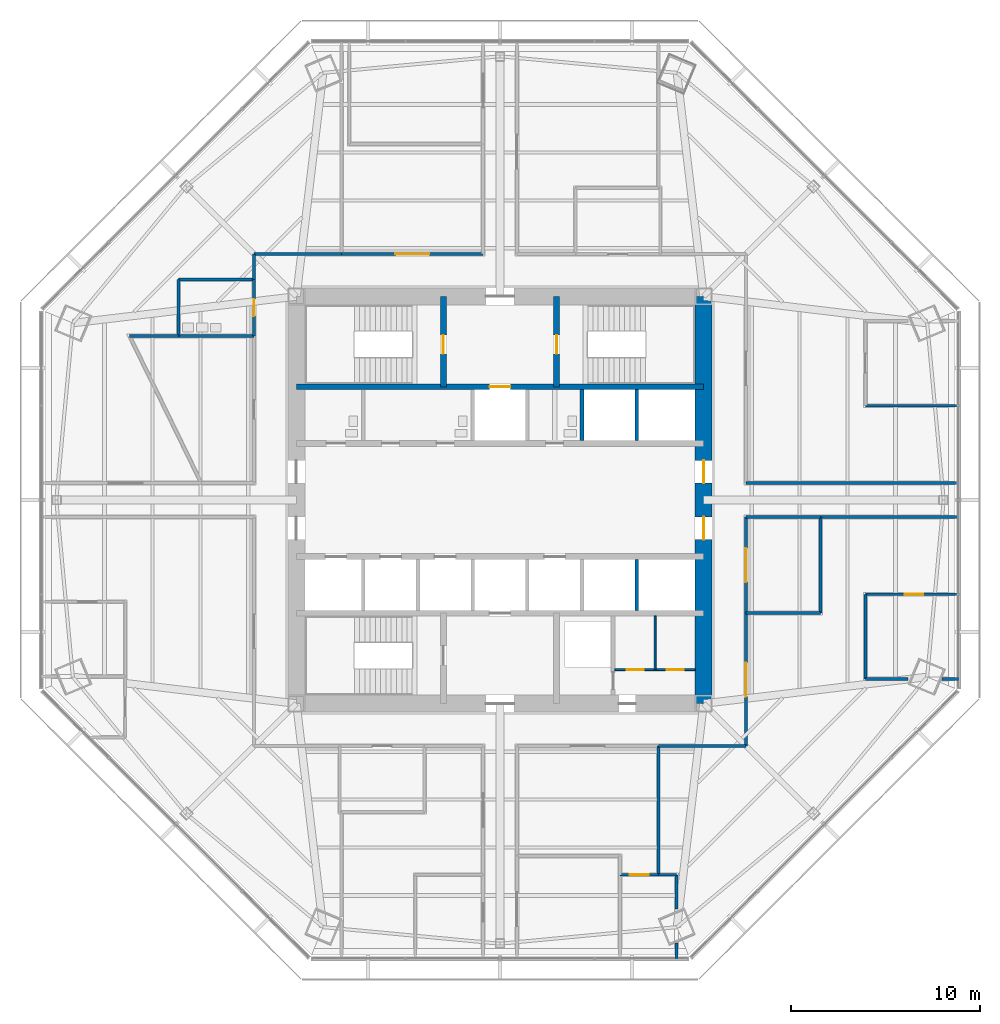
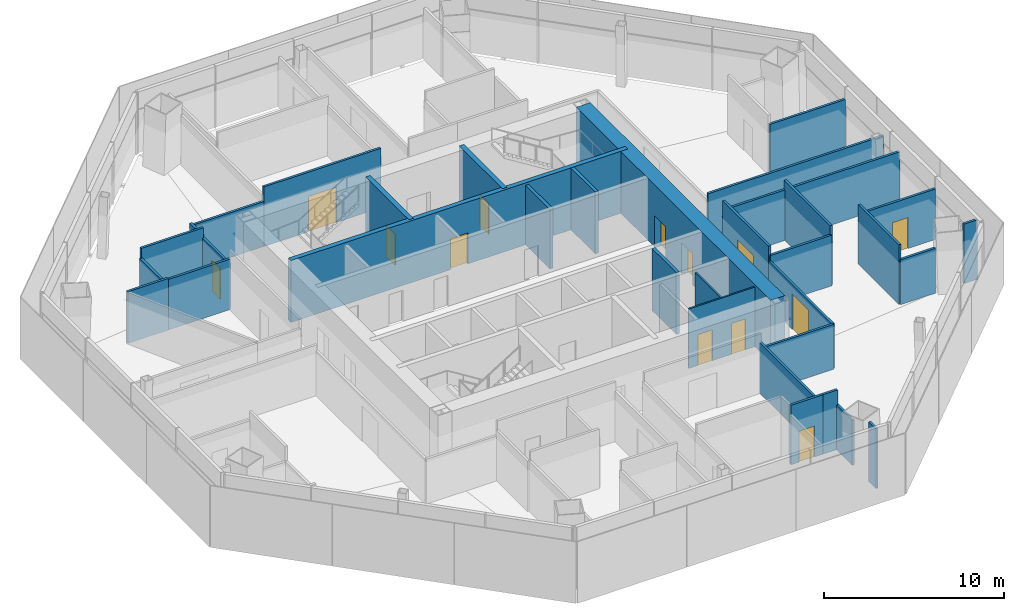
# One storey, part 10 of 14: 35 walls, 13 doors, 13 openings.
"""IFC4 building model written with IfcOpenShell, lengths in metres."""

import ifcopenshell
import ifcopenshell.guid

model = None  # the IFC model being written
_history = None  # IfcOwnerHistory: only IFC2X3 demands one
_inside = {}  # id of a spatial element -> (the spatial element, [elements in it])
_under = {}  # id of a project, library or spatial element -> (it, [spatial elements below it])
_declared = {}  # id of a project -> (the project, [libraries it declares])
_typed = {}  # id of a type object -> (the type object, [elements of that type])
_made_of = {}  # id of a material, layer set ... -> (it, [elements and type objects made of it])


def new_model(schema):
    """Start an empty IFC model of exactly this schema.

    Asked for "IFC4X3", IfcOpenShell would pick the latest addendum, in which some entities
    have other attributes; the version numbers below select the first issue.
    IFC2X3 requires an IfcOwnerHistory on every rooted entity: one is made here for all.
    """
    global model, _history
    if schema == "IFC4X3":
        model = ifcopenshell.file(schema_version=(4, 3, 0, 0))
    else:
        model = ifcopenshell.file(schema=schema)
    _inside.clear()
    _under.clear()
    _declared.clear()
    _typed.clear()
    _made_of.clear()
    _history = None
    if model.schema == "IFC2X3":
        org = make("IfcOrganization", Name="unknown")
        user = make(
            "IfcPersonAndOrganization",
            ThePerson=make("IfcPerson", FamilyName="unknown"),
            TheOrganization=org,
        )
        app = make(
            "IfcApplication",
            ApplicationDeveloper=org,
            Version="unknown",
            ApplicationFullName="unknown",
            ApplicationIdentifier="unknown",
        )
        _history = make(
            "IfcOwnerHistory",
            OwningUser=user,
            OwningApplication=app,
            ChangeAction="ADDED",
            CreationDate=0,
        )
    return model


def make(cls, **values):
    """One entity of the class cls with the attributes given. An attribute that is None is left unset."""
    return model.create_entity(
        cls, **{name: value for name, value in values.items() if value is not None}
    )


def rooted(cls, **values):
    """An entity with a GlobalId (a new one), such as an element, a storey or a relation."""
    return make(cls, GlobalId=ifcopenshell.guid.new(), OwnerHistory=_history, **values)


def si_unit(unit_type, name, prefix=None):
    """IfcSIUnit, for example si_unit("LENGTHUNIT", "METRE", prefix="MILLI")."""
    return make("IfcSIUnit", UnitType=unit_type, Prefix=prefix, Name=name)


def assignment(units):
    """IfcUnitAssignment: the units of a project."""
    return None if units is None else make("IfcUnitAssignment", Units=units)


def point(xyz):
    """IfcCartesianPoint."""
    return None if xyz is None else make("IfcCartesianPoint", Coordinates=xyz)


def direction(xyz):
    """IfcDirection."""
    return None if xyz is None else make("IfcDirection", DirectionRatios=xyz)


def frame(location, z_axis=None, x_axis=None):
    """IfcAxis2Placement3D, a coordinate frame: its origin and axes. An axis left out is left unset."""
    return make(
        "IfcAxis2Placement3D",
        Location=point(location),
        Axis=direction(z_axis),
        RefDirection=direction(x_axis),
    )


def frame_2d(location, x_axis=None):
    """IfcAxis2Placement2D, a coordinate frame in the plane: its origin and x axis."""
    return make(
        "IfcAxis2Placement2D", Location=point(location), RefDirection=direction(x_axis)
    )


def origin():
    """The frame at (0, 0, 0) with its axes left unset."""
    return frame((0.0, 0.0, 0.0))


def place(relative_to, where):
    """IfcLocalPlacement: puts the frame where relative to a parent placement (None: the world)."""
    return make(
        "IfcLocalPlacement", PlacementRelTo=relative_to, RelativePlacement=where
    )


def context(
    kind, dimensions, precision=None, world=None, true_north=None, identifier=None
):
    """IfcGeometricRepresentationContext, for example the 3D "Model" context."""
    return make(
        "IfcGeometricRepresentationContext",
        ContextIdentifier=identifier,
        ContextType=kind,
        CoordinateSpaceDimension=dimensions,
        Precision=precision,
        WorldCoordinateSystem=world,
        TrueNorth=true_north,
    )


def subcontext(parent, identifier, kind, view, scale=None):
    """IfcGeometricRepresentationSubContext, for example "Body" below "Model"."""
    return make(
        "IfcGeometricRepresentationSubContext",
        ContextIdentifier=identifier,
        ContextType=kind,
        ParentContext=parent,
        TargetScale=scale,
        TargetView=view,
    )


def project(units=None, contexts=None):
    """IfcProject with its units and contexts."""
    return rooted(
        "IfcProject",
        Name="project",
        RepresentationContexts=contexts,
        UnitsInContext=assignment(units),
    )


def spatial(cls, under=None, at=None, **own):
    """A site, building, storey or space (cls), placed at a placement, below another one or the project."""
    s = rooted(cls, ObjectPlacement=at, **own)
    if under is not None:
        _under.setdefault(under.id(), (under, []))[1].append(s)
    return s


def profile(cls, at=None, kind="AREA", **sizes):
    """A parametric profile (cls). Its sizes go by their IFC names, for example OverallWidth=200.0."""
    return make(cls, ProfileType=kind, Position=at, **sizes)


def rectangle(**sizes):
    """IfcRectangleProfileDef."""
    return profile("IfcRectangleProfileDef", **sizes)


def extrude(swept, where, along, depth):
    """IfcExtrudedAreaSolid: the profile swept, set in the frame where, extruded along a direction by depth."""
    return make(
        "IfcExtrudedAreaSolid",
        SweptArea=swept,
        Position=where,
        ExtrudedDirection=direction(along),
        Depth=depth,
    )


def shape(context_of_items, identifier, shape_type, items):
    """IfcShapeRepresentation: the items that make up one representation, for example the "Body"."""
    return make(
        "IfcShapeRepresentation",
        ContextOfItems=context_of_items,
        RepresentationIdentifier=identifier,
        RepresentationType=shape_type,
        Items=items,
    )


def material(Name=None, Category=None):
    """IfcMaterial."""
    return make("IfcMaterial", Name=Name, Category=Category)


def layer(
    of_material, thickness, ventilated=None, Name=None, Category=None, Priority=None
):
    """IfcMaterialLayer: one layer of a wall or slab, of a material (None: an air gap)."""
    return make(
        "IfcMaterialLayer",
        Material=of_material,
        LayerThickness=thickness,
        IsVentilated=ventilated,
        Name=Name,
        Category=Category,
        Priority=Priority,
    )


def layer_set(layers, Name=None):
    """IfcMaterialLayerSet."""
    return make("IfcMaterialLayerSet", MaterialLayers=layers, LayerSetName=Name)


def made_of(thing, what):
    """Note that an element or type object is made of a material, layer set ...; save() writes the relation."""
    if what is not None:
        _made_of.setdefault(what.id(), (what, []))[1].append(thing)
    return thing


def type_object(cls, material=None, **own):
    """A type object (cls), such as IfcWallType, which elements share."""
    return made_of(rooted(cls, **own), material)


def element(
    cls,
    number,
    at=None,
    inside=None,
    cuts=None,
    type_object=None,
    material=None,
    context=None,
    identifier="Body",
    shape_type=None,
    held_by="IfcProductDefinitionShape",
    body=None,
    shapes=None,
    **own,
):
    """One element of the class cls, such as IfcWall. Its Tag is "e" and its number.

    at: its placement. inside: the storey or other place that contains it. cuts: it is an
    opening in that element (IfcRelVoidsElement). A single representation is given by context,
    identifier, shape_type and body (its items); several are given by shapes. held_by: the class
    of the entity that holds the representations. save() writes the other relations.
    """
    e = rooted(cls, Tag="e%d" % number, ObjectPlacement=at, **own)
    if body is not None:
        shapes = [shape(context, identifier, shape_type, body)]
    if shapes is not None:
        e.Representation = make(held_by, Representations=shapes)
    if inside is not None:
        _inside.setdefault(inside.id(), (inside, []))[1].append(e)
    if cuts is not None:
        rooted(
            "IfcRelVoidsElement", RelatingBuildingElement=cuts, RelatedOpeningElement=e
        )
    if type_object is not None:
        _typed.setdefault(type_object.id(), (type_object, []))[1].append(e)
    return made_of(e, material)


def fill(opening, filler):
    """IfcRelFillsElement: the door or window that sits in an opening."""
    return rooted(
        "IfcRelFillsElement",
        RelatingOpeningElement=opening,
        RelatedBuildingElement=filler,
    )


def aggregate(whole, parts):
    """IfcRelAggregates: a whole, such as a stair, and the parts it consists of."""
    return rooted("IfcRelAggregates", RelatingObject=whole, RelatedObjects=parts)


def save(model, path):
    """Write the relations noted so far, then the file.

    IfcRelAggregates (storeys below a building ...), IfcRelContainedInSpatialStructure (elements
    in a storey), IfcRelDefinesByType, IfcRelAssociatesMaterial and IfcRelDeclares: one each for
    every whole, place, type object, material and project.
    """
    for whole, parts in _under.values():
        aggregate(whole, parts)
    for where, things in _inside.values():
        rooted(
            "IfcRelContainedInSpatialStructure",
            RelatedElements=things,
            RelatingStructure=where,
        )
    for kind, things in _typed.values():
        rooted("IfcRelDefinesByType", RelatedObjects=things, RelatingType=kind)
    for what, things in _made_of.values():
        rooted("IfcRelAssociatesMaterial", RelatedObjects=things, RelatingMaterial=what)
    for by, libraries in _declared.values():
        rooted("IfcRelDeclares", RelatingContext=by, RelatedDefinitions=libraries)
    model.write(path)


model = new_model("IFC4")

# Units and contexts
model_context = context("Model", 3, precision=1e-05, world=origin(), true_north=direction((0.0, 1.0)))
body_context = subcontext(model_context, "Body", "Model", "MODEL_VIEW")
ifc_project = project(units=[si_unit("LENGTHUNIT", "METRE"), si_unit("AREAUNIT", "SQUARE_METRE"), si_unit("VOLUMEUNIT", "CUBIC_METRE"), si_unit("PLANEANGLEUNIT", "RADIAN"), si_unit("MASSUNIT", "GRAM", prefix="KILO")], contexts=[model_context])

# Site, building, storey
site_placement = place(None, origin())
site = spatial("IfcSite", under=ifc_project, at=site_placement, CompositionType="ELEMENT")
building_placement = place(site_placement, origin())
building = spatial("IfcBuilding", under=site, at=building_placement, Name="Mashrafa Tower", CompositionType="ELEMENT")
storey_placement = place(building_placement, frame((0.0, 0.0, 130.199951171875)))
storey = spatial("IfcBuildingStorey", under=building, at=storey_placement, Name="L29", CompositionType="ELEMENT", Elevation=130.199951171875)

# Wall, opening, door
ifc_material_1 = material(Name="Concrete C60/75", Category="concrete")
ifc_layer_1 = layer(ifc_material_1, 0.300048828125)
ifc_layer_set_1 = layer_set([ifc_layer_1], Name="Core wall 300 C60/75")
wall_type_1 = type_object("IfcWallType", Name="Core wall 300 C60/75", PredefinedType="SOLIDWALL", material=ifc_layer_set_1)
wall_1_placement = place(storey_placement, frame((-10.800048828125, 6.0, 0.0), z_axis=(0.0, 0.0, 1.0), x_axis=(1.0, 0.0, 0.0)))
wall_1 = element("IfcWall", 1, at=wall_1_placement, inside=storey, type_object=wall_type_1, Name="Core wall CB-N L29", PredefinedType="SOLIDWALL", context=body_context, shape_type="SweptSolid", body=[
    extrude(rectangle(XDim=21.60009765625, YDim=0.300048828125, at=frame_2d((10.800048828125, 0.0))), origin(), (0.0, 0.0, 1.0), 4.199951171875),
])
opening_1_placement = place(wall_1_placement, frame((10.25, 0.0, 0.0)))
opening_1 = element("IfcOpeningElement", 2, at=opening_1_placement, cuts=wall_1, Name="Opening 29.F1", PredefinedType="OPENING", context=body_context, shape_type="SweptSolid", body=[
    extrude(rectangle(XDim=1.10009765625, YDim=2.10009765625, at=frame_2d((0.550048828125, 1.050048828125))), frame((0.0, 0.159912109375, 0.0), z_axis=(0.0, -1.0, 0.0), x_axis=(1.0, 0.0, 0.0)), (0.0, 0.0, 1.0), 0.320068359375),
])
ifc_material_2 = material(Name="Steel door", Category="steel")
door_type_1 = type_object("IfcDoorType", Name="Lift landing door 1100 x 2100 90 min", OperationType="DOUBLE_DOOR_SLIDING", PredefinedType="DOOR", material=ifc_material_2)
door_1_placement = place(opening_1_placement, origin())
door_1 = element("IfcDoor", 3, at=door_1_placement, inside=storey, type_object=door_type_1, Name="Lift landing door F1 L29", OperationType="DOUBLE_DOOR_SLIDING", OverallHeight=2.10009765625, OverallWidth=1.10009765625, PredefinedType="DOOR", context=body_context, shape_type="SweptSolid", body=[
    extrude(rectangle(XDim=1.10009765625, YDim=2.10009765625, at=frame_2d((0.550048828125, 1.050048828125))), frame((0.0, 0.02490234375, 0.0), z_axis=(0.0, -1.0, 0.0), x_axis=(1.0, 0.0, 0.0)), (0.0, 0.0, 1.0), 0.050048828125),
])
fill(opening_1, door_1)

wall_2_placement = place(storey_placement, frame((-3.0, 6.0, 0.0), z_axis=(0.0, 0.0, 1.0), x_axis=(0.0, 1.0, 0.0)))
wall_2 = element("IfcWall", 4, at=wall_2_placement, inside=storey, type_object=wall_type_1, Name="Core wall CX-NW L29", PredefinedType="SOLIDWALL", context=body_context, shape_type="SweptSolid", body=[
    extrude(rectangle(XDim=4.800048828125, YDim=0.300048828125, at=frame_2d((2.39990234375, 0.0))), origin(), (0.0, 0.0, 1.0), 4.199951171875),
])
opening_2_placement = place(wall_2_placement, frame((1.75, 0.0, 0.0)))
opening_2 = element("IfcOpeningElement", 5, at=opening_2_placement, cuts=wall_2, Name="Opening 29.028", PredefinedType="OPENING", context=body_context, shape_type="SweptSolid", body=[
    extrude(rectangle(XDim=1.0, YDim=2.10009765625, at=frame_2d((0.5, 1.050048828125))), frame((0.0, 0.159912109375, 0.0), z_axis=(0.0, -1.0, 0.0), x_axis=(1.0, 0.0, 0.0)), (0.0, 0.0, 1.0), 0.320068359375),
])
ifc_material_3 = material(Name="Steel door", Category="steel")
door_type_2 = type_object("IfcDoorType", Name="Stair door 1000 x 2100 90 min", OperationType="USERDEFINED", PredefinedType="DOOR", material=ifc_material_3)
door_2_placement = place(opening_2_placement, origin())
door_2 = element("IfcDoor", 6, at=door_2_placement, inside=storey, type_object=door_type_2, Name="Stair S1 door L29", OperationType="SINGLE_SWING_LEFT", OverallHeight=2.10009765625, OverallWidth=1.0, PredefinedType="DOOR", context=body_context, shape_type="SweptSolid", body=[
    extrude(rectangle(XDim=1.0, YDim=2.10009765625, at=frame_2d((0.5, 1.050048828125))), frame((0.0, 0.02490234375, 0.0), z_axis=(0.0, -1.0, 0.0), x_axis=(1.0, 0.0, 0.0)), (0.0, 0.0, 1.0), 0.050048828125),
])
fill(opening_2, door_2)

wall_3_placement = place(storey_placement, frame((3.0, 6.0, 0.0), z_axis=(0.0, 0.0, 1.0), x_axis=(0.0, 1.0, 0.0)))
wall_3 = element("IfcWall", 7, at=wall_3_placement, inside=storey, type_object=wall_type_1, Name="Core wall CX-NE L29", PredefinedType="SOLIDWALL", context=body_context, shape_type="SweptSolid", body=[
    extrude(rectangle(XDim=4.800048828125, YDim=0.300048828125, at=frame_2d((2.39990234375, 0.0))), origin(), (0.0, 0.0, 1.0), 4.199951171875),
])
opening_3_placement = place(wall_3_placement, frame((1.75, 0.0, 0.0)))
opening_3 = element("IfcOpeningElement", 8, at=opening_3_placement, cuts=wall_3, Name="Opening 29.029", PredefinedType="OPENING", context=body_context, shape_type="SweptSolid", body=[
    extrude(rectangle(XDim=1.0, YDim=2.10009765625, at=frame_2d((0.5, 1.050048828125))), frame((0.0, 0.159912109375, 0.0), z_axis=(0.0, -1.0, 0.0), x_axis=(1.0, 0.0, 0.0)), (0.0, 0.0, 1.0), 0.320068359375),
])
door_3_placement = place(opening_3_placement, frame((1.0, 0.0, 0.0), z_axis=(0.0, 0.0, 1.0), x_axis=(-1.0, 0.0, 0.0)))
door_3 = element("IfcDoor", 9, at=door_3_placement, inside=storey, type_object=door_type_2, Name="Stair S2 door L29", OperationType="SINGLE_SWING_RIGHT", OverallHeight=2.10009765625, OverallWidth=1.0, PredefinedType="DOOR", context=body_context, shape_type="SweptSolid", body=[
    extrude(rectangle(XDim=1.0, YDim=2.10009765625, at=frame_2d((0.5, 1.050048828125))), frame((0.0, 0.02490234375, 0.0), z_axis=(0.0, -1.0, 0.0), x_axis=(1.0, 0.0, 0.0)), (0.0, 0.0, 1.0), 0.050048828125),
])
fill(opening_3, door_3)

# Wall, openings, doors
ifc_material_4 = material(Name="Concrete C60/75", Category="concrete")
ifc_layer_2 = layer(ifc_material_4, 0.89990234375)
ifc_layer_set_2 = layer_set([ifc_layer_2], Name="Core wall 900 C60/75")
wall_type_2 = type_object("IfcWallType", Name="Core wall 900 C60/75", PredefinedType="SOLIDWALL", material=ifc_layer_set_2)
wall_4_placement = place(storey_placement, frame((10.800048828125, -10.800048828125, 0.0), z_axis=(0.0, 0.0, 1.0), x_axis=(0.0, 1.0, 0.0)))
wall_4 = element("IfcWall", 10, at=wall_4_placement, inside=storey, type_object=wall_type_2, Name="Core wall CW-E L29", PredefinedType="SOLIDWALL", context=body_context, shape_type="SweptSolid", body=[
    extrude(rectangle(XDim=21.60009765625, YDim=0.89990234375, at=frame_2d((10.800048828125, 0.0))), origin(), (0.0, 0.0, 1.0), 4.199951171875),
])
opening_4_placement = place(wall_4_placement, frame((11.699951171875, 0.0, 0.0)))
opening_4 = element("IfcOpeningElement", 11, at=opening_4_placement, cuts=wall_4, Name="Opening 29.022", PredefinedType="OPENING", context=body_context, shape_type="SweptSolid", body=[
    extrude(rectangle(XDim=1.199951171875, YDim=2.10009765625, at=frame_2d((0.60009765625, 1.050048828125))), frame((0.0, 0.4599609375, 0.0), z_axis=(0.0, -1.0, 0.0), x_axis=(1.0, 0.0, 0.0)), (0.0, 0.0, 1.0), 0.919921875),
])
opening_5_placement = place(wall_4_placement, frame((8.699951171875, 0.0, 0.0)))
opening_5 = element("IfcOpeningElement", 12, at=opening_5_placement, cuts=wall_4, Name="Opening 29.024", PredefinedType="OPENING", context=body_context, shape_type="SweptSolid", body=[
    extrude(rectangle(XDim=1.199951171875, YDim=2.10009765625, at=frame_2d((0.60009765625, 1.050048828125))), frame((0.0, 0.4599609375, 0.0), z_axis=(0.0, -1.0, 0.0), x_axis=(1.0, 0.0, 0.0)), (0.0, 0.0, 1.0), 0.919921875),
])
ifc_material_5 = material(Name="Steel door", Category="steel")
door_type_3 = type_object("IfcDoorType", Name="Lift hall door 1200 x 2100 90 min", OperationType="USERDEFINED", PredefinedType="DOOR", material=ifc_material_5)
door_4_placement = place(opening_4_placement, frame((1.199951171875, 0.0, 0.0), z_axis=(0.0, 0.0, 1.0), x_axis=(-1.0, 0.0, 0.0)))
door_4 = element("IfcDoor", 13, at=door_4_placement, inside=storey, type_object=door_type_3, Name="Lift hall door east L29", OperationType="SINGLE_SWING_LEFT", OverallHeight=2.10009765625, OverallWidth=1.199951171875, PredefinedType="DOOR", context=body_context, shape_type="SweptSolid", body=[
    extrude(rectangle(XDim=1.199951171875, YDim=2.10009765625, at=frame_2d((0.60009765625, 1.050048828125))), frame((0.0, 0.02490234375, 0.0), z_axis=(0.0, -1.0, 0.0), x_axis=(1.0, 0.0, 0.0)), (0.0, 0.0, 1.0), 0.050048828125),
])
fill(opening_4, door_4)
door_5_placement = place(opening_5_placement, frame((1.199951171875, 0.0, 0.0), z_axis=(0.0, 0.0, 1.0), x_axis=(-1.0, 0.0, 0.0)))
door_5 = element("IfcDoor", 14, at=door_5_placement, inside=storey, type_object=door_type_3, Name="Lift hall door east L29", OperationType="SINGLE_SWING_RIGHT", OverallHeight=2.10009765625, OverallWidth=1.199951171875, PredefinedType="DOOR", context=body_context, shape_type="SweptSolid", body=[
    extrude(rectangle(XDim=1.199951171875, YDim=2.10009765625, at=frame_2d((0.60009765625, 1.050048828125))), frame((0.0, 0.02490234375, 0.0), z_axis=(0.0, -1.0, 0.0), x_axis=(1.0, 0.0, 0.0)), (0.0, 0.0, 1.0), 0.050048828125),
])
fill(opening_5, door_5)

# Wall, opening, door
ifc_material_6 = material(Name="Gypsum board on steel studs", Category="steel")
ifc_layer_3 = layer(ifc_material_6, 0.14990234375)
ifc_layer_set_3 = layer_set([ifc_layer_3], Name="Corridor partition 150 1 hr")
wall_type_3 = type_object("IfcWallType", Name="Corridor partition 150 1 hr", PredefinedType="PARTITIONING", material=ifc_layer_set_3)
wall_5_placement = place(storey_placement, frame((-13.050048828125, 11.700927734375, 0.0), z_axis=(0.0, 0.0, 1.0), x_axis=(0.0, -1.0, 0.0)))
wall_5 = element("IfcWall", 15, at=wall_5_placement, inside=storey, type_object=wall_type_3, Name="Corridor wall L29-003", PredefinedType="PARTITIONING", context=body_context, shape_type="SweptSolid", body=[
    extrude(rectangle(XDim=3.001953125, YDim=0.14990234375, at=frame_2d((1.5009765625, 0.0))), origin(), (0.0, 0.0, 1.0), 3.0419921875),
])
opening_6_placement = place(wall_5_placement, frame((1.051025390625, 0.0, 0.0)))
opening_6 = element("IfcOpeningElement", 16, at=opening_6_placement, cuts=wall_5, Name="Opening 29.002", PredefinedType="OPENING", context=body_context, shape_type="SweptSolid", body=[
    extrude(rectangle(XDim=0.89990234375, YDim=2.10009765625, at=frame_2d((0.449951171875, 1.050048828125))), frame((0.0, 0.0849609375, 0.0), z_axis=(0.0, -1.0, 0.0), x_axis=(1.0, 0.0, 0.0)), (0.0, 0.0, 1.0), 0.169921875),
])
ifc_material_7 = material(Name="Timber door", Category="wood")
door_type_4 = type_object("IfcDoorType", Name="Toilet door 900 x 2100", OperationType="USERDEFINED", PredefinedType="DOOR", material=ifc_material_7)
door_6_placement = place(opening_6_placement, frame((0.89990234375, 0.0, 0.0), z_axis=(0.0, 0.0, 1.0), x_axis=(-1.0, 0.0, 0.0)))
door_6 = element("IfcDoor", 17, at=door_6_placement, inside=storey, type_object=door_type_4, Name="Ablution Room L29 door", OperationType="SINGLE_SWING_RIGHT", OverallHeight=2.10009765625, OverallWidth=0.89990234375, PredefinedType="DOOR", context=body_context, shape_type="SweptSolid", body=[
    extrude(rectangle(XDim=0.89990234375, YDim=2.10009765625, at=frame_2d((0.449951171875, 1.050048828125))), frame((0.0, 0.02490234375, 0.0), z_axis=(0.0, -1.0, 0.0), x_axis=(1.0, 0.0, 0.0)), (0.0, 0.0, 1.0), 0.050048828125),
])
fill(opening_6, door_6)

wall_6_placement = place(storey_placement, frame((13.050048828125, -6.0009765625, 0.0), z_axis=(0.0, 0.0, 1.0), x_axis=(0.0, 1.0, 0.0)))
wall_6 = element("IfcWall", 18, at=wall_6_placement, inside=storey, type_object=wall_type_3, Name="Corridor wall L29-006", PredefinedType="PARTITIONING", context=body_context, shape_type="SweptSolid", body=[
    extrude(rectangle(XDim=5.10107421875, YDim=0.14990234375, at=frame_2d((2.550537109375, 0.0))), origin(), (0.0, 0.0, 1.0), 4.03515625),
])
opening_7_placement = place(wall_6_placement, frame((1.650390625, 0.0, 0.0)))
opening_7 = element("IfcOpeningElement", 19, at=opening_7_placement, cuts=wall_6, Name="Opening 29.005", PredefinedType="OPENING", context=body_context, shape_type="SweptSolid", body=[
    extrude(rectangle(XDim=1.800048828125, YDim=2.39990234375, at=frame_2d((0.89990234375, 1.199951171875))), frame((0.0, 0.0849609375, 0.0), z_axis=(0.0, -1.0, 0.0), x_axis=(1.0, 0.0, 0.0)), (0.0, 0.0, 1.0), 0.169921875),
])
ifc_material_8 = material(Name="Steel door", Category="steel")
door_type_5 = type_object("IfcDoorType", Name="Door pair 1800 x 2400 90 min", OperationType="DOUBLE_DOOR_SINGLE_SWING", PredefinedType="DOOR", material=ifc_material_8)
door_7_placement = place(opening_7_placement, origin())
door_7 = element("IfcDoor", 20, at=door_7_placement, inside=storey, type_object=door_type_5, Name="Reception 29-S door", OperationType="DOUBLE_DOOR_SINGLE_SWING", OverallHeight=2.39990234375, OverallWidth=1.800048828125, PredefinedType="DOOR", context=body_context, shape_type="SweptSolid", body=[
    extrude(rectangle(XDim=1.800048828125, YDim=2.39990234375, at=frame_2d((0.89990234375, 1.199951171875))), frame((0.0, 0.02490234375, 0.0), z_axis=(0.0, -1.0, 0.0), x_axis=(1.0, 0.0, 0.0)), (0.0, 0.0, 1.0), 0.050048828125),
])
fill(opening_7, door_7)

# Walls
wall_7_placement = place(storey_placement, frame((13.050048828125, -0.89990234375, 0.0), z_axis=(0.0, 0.0, 1.0), x_axis=(1.0, 0.0, 0.0)))
element("IfcWall", 21, at=wall_7_placement, inside=storey, type_object=wall_type_3, Name="Corridor wall L29-007", PredefinedType="PARTITIONING", context=body_context, shape_type="SweptSolid", body=[
    extrude(rectangle(XDim=3.950927734375, YDim=0.14990234375, at=frame_2d((1.9755859375, 0.0))), origin(), (0.0, 0.0, 1.0), 3.425537109375),
])
wall_8_placement = place(storey_placement, frame((24.3134765625, 0.89990234375, 0.0), z_axis=(0.0, 0.0, 1.0), x_axis=(-1.0, 0.0, 0.0)))
element("IfcWall", 22, at=wall_8_placement, inside=storey, type_object=wall_type_3, Name="Corridor wall L29-011", PredefinedType="PARTITIONING", context=body_context, shape_type="SweptSolid", body=[
    extrude(rectangle(XDim=11.263427734375, YDim=0.14990234375, at=frame_2d((5.6318359375, 0.0))), origin(), (0.0, 0.0, 1.0), 3.425537109375),
])
wall_9_placement = place(storey_placement, frame((-8.39892578125, 13.050048828125, 0.0), z_axis=(0.0, 0.0, 1.0), x_axis=(-1.0, 0.0, 0.0)))
element("IfcWall", 23, at=wall_9_placement, inside=storey, type_object=wall_type_3, Name="Corridor wall L29-017", PredefinedType="PARTITIONING", context=body_context, shape_type="SweptSolid", body=[
    extrude(rectangle(XDim=4.651123046875, YDim=0.14990234375, at=frame_2d((2.32568359375, 0.0))), origin(), (0.0, 0.0, 1.0), 3.0419921875),
])
wall_10_placement = place(storey_placement, frame((-13.050048828125, 13.050048828125, 0.0), z_axis=(0.0, 0.0, 1.0), x_axis=(0.0, -1.0, 0.0)))
element("IfcWall", 24, at=wall_10_placement, inside=storey, type_object=wall_type_3, Name="Corridor wall L29-018", PredefinedType="PARTITIONING", context=body_context, shape_type="SweptSolid", body=[
    extrude(rectangle(XDim=1.35107421875, YDim=0.14990234375, at=frame_2d((0.675537109375, 0.0))), origin(), (0.0, 0.0, 1.0), 3.184326171875),
])

# Wall, opening, door
wall_11_placement = place(storey_placement, frame((-0.89990234375, 13.050048828125, 0.0), z_axis=(0.0, 0.0, 1.0), x_axis=(-1.0, 0.0, 0.0)))
wall_11 = element("IfcWall", 25, at=wall_11_placement, inside=storey, type_object=wall_type_3, Name="Corridor wall L29-020", PredefinedType="PARTITIONING", context=body_context, shape_type="SweptSolid", body=[
    extrude(rectangle(XDim=7.5009765625, YDim=0.14990234375, at=frame_2d((3.75048828125, 0.0))), origin(), (0.0, 0.0, 1.0), 4.03515625),
])
opening_8_placement = place(wall_11_placement, frame((2.8505859375, 0.0, 0.0)))
opening_8 = element("IfcOpeningElement", 26, at=opening_8_placement, cuts=wall_11, Name="Opening 29.017", PredefinedType="OPENING", context=body_context, shape_type="SweptSolid", body=[
    extrude(rectangle(XDim=1.800048828125, YDim=2.39990234375, at=frame_2d((0.89990234375, 1.199951171875))), frame((0.0, 0.0849609375, 0.0), z_axis=(0.0, -1.0, 0.0), x_axis=(1.0, 0.0, 0.0)), (0.0, 0.0, 1.0), 0.169921875),
])
ifc_material_9 = material(Name="Timber door", Category="wood")
door_type_6 = type_object("IfcDoorType", Name="Door pair 1800 x 2400", OperationType="DOUBLE_DOOR_SINGLE_SWING", PredefinedType="DOOR", material=ifc_material_9)
door_8_placement = place(opening_8_placement, frame((1.800048828125, 0.0, 0.0), z_axis=(0.0, 0.0, 1.0), x_axis=(-1.0, 0.0, 0.0)))
door_8 = element("IfcDoor", 27, at=door_8_placement, inside=storey, type_object=door_type_6, Name="Office Tenancy 29-N-NW2 door", OperationType="DOUBLE_DOOR_SINGLE_SWING", OverallHeight=2.39990234375, OverallWidth=1.800048828125, PredefinedType="DOOR", context=body_context, shape_type="SweptSolid", body=[
    extrude(rectangle(XDim=1.800048828125, YDim=2.39990234375, at=frame_2d((0.89990234375, 1.199951171875))), frame((0.0, 0.02490234375, 0.0), z_axis=(0.0, -1.0, 0.0), x_axis=(1.0, 0.0, 0.0)), (0.0, 0.0, 1.0), 0.050048828125),
])
fill(opening_8, door_8)

# Wall
wall_12_placement = place(storey_placement, frame((8.39892578125, -13.050048828125, 0.0), z_axis=(0.0, 0.0, 1.0), x_axis=(1.0, 0.0, 0.0)))
element("IfcWall", 28, at=wall_12_placement, inside=storey, type_object=wall_type_3, Name="Corridor wall L29-026", PredefinedType="PARTITIONING", context=body_context, shape_type="SweptSolid", body=[
    extrude(rectangle(XDim=4.651123046875, YDim=0.14990234375, at=frame_2d((2.32568359375, 0.0))), origin(), (0.0, 0.0, 1.0), 3.0419921875),
])

# Wall, opening, door
wall_13_placement = place(storey_placement, frame((13.050048828125, -13.050048828125, 0.0), z_axis=(0.0, 0.0, 1.0), x_axis=(0.0, 1.0, 0.0)))
wall_13 = element("IfcWall", 29, at=wall_13_placement, inside=storey, type_object=wall_type_3, Name="Corridor wall L29-027", PredefinedType="PARTITIONING", context=body_context, shape_type="SweptSolid", body=[
    extrude(rectangle(XDim=7.051025390625, YDim=0.14990234375, at=frame_2d((3.525390625, 0.0))), origin(), (0.0, 0.0, 1.0), 3.0419921875),
])
opening_9_placement = place(wall_13_placement, frame((2.62548828125, 0.0, 0.0)))
opening_9 = element("IfcOpeningElement", 30, at=opening_9_placement, cuts=wall_13, Name="Opening 29.020", PredefinedType="OPENING", context=body_context, shape_type="SweptSolid", body=[
    extrude(rectangle(XDim=1.800048828125, YDim=2.39990234375, at=frame_2d((0.89990234375, 1.199951171875))), frame((0.0, 0.0849609375, 0.0), z_axis=(0.0, -1.0, 0.0), x_axis=(1.0, 0.0, 0.0)), (0.0, 0.0, 1.0), 0.169921875),
])
door_9_placement = place(opening_9_placement, frame((1.800048828125, 0.0, 0.0), z_axis=(0.0, 0.0, 1.0), x_axis=(-1.0, 0.0, 0.0)))
door_9 = element("IfcDoor", 31, at=door_9_placement, inside=storey, type_object=door_type_6, Name="Office Tenancy 29-S-SE1 door", OperationType="DOUBLE_DOOR_SINGLE_SWING", OverallHeight=2.39990234375, OverallWidth=1.800048828125, PredefinedType="DOOR", context=body_context, shape_type="SweptSolid", body=[
    extrude(rectangle(XDim=1.800048828125, YDim=2.39990234375, at=frame_2d((0.89990234375, 1.199951171875))), frame((0.0, 0.02490234375, 0.0), z_axis=(0.0, -1.0, 0.0), x_axis=(1.0, 0.0, 0.0)), (0.0, 0.0, 1.0), 0.050048828125),
])
fill(opening_9, door_9)

# Walls
wall_14_placement = place(storey_placement, frame((16.9990234375, -0.89990234375, 0.0), z_axis=(0.0, 0.0, 1.0), x_axis=(1.0, 0.0, 0.0)))
element("IfcWall", 32, at=wall_14_placement, inside=storey, type_object=wall_type_3, Name="Corridor wall L29-028", PredefinedType="PARTITIONING", context=body_context, shape_type="SweptSolid", body=[
    extrude(rectangle(XDim=7.314453125, YDim=0.14990234375, at=frame_2d((3.6572265625, 0.0))), origin(), (0.0, 0.0, 1.0), 3.425537109375),
])
wall_15_placement = place(storey_placement, frame((13.050048828125, -6.0, 0.0), z_axis=(0.0, 0.0, 1.0), x_axis=(1.0, 0.0, 0.0)))
element("IfcWall", 33, at=wall_15_placement, inside=storey, type_object=wall_type_3, Name="Corridor wall L29-041", PredefinedType="PARTITIONING", context=body_context, shape_type="SweptSolid", body=[
    extrude(rectangle(XDim=3.949951171875, YDim=0.14990234375, at=frame_2d((1.97509765625, 0.0))), origin(), (0.0, 0.0, 1.0), 3.425537109375),
])
wall_16_placement = place(storey_placement, frame((17.0, -6.0, 0.0), z_axis=(0.0, 0.0, 1.0), x_axis=(0.0, 1.0, 0.0)))
element("IfcWall", 34, at=wall_16_placement, inside=storey, type_object=wall_type_3, Name="Corridor wall L29-042", PredefinedType="PARTITIONING", context=body_context, shape_type="SweptSolid", body=[
    extrude(rectangle(XDim=5.10009765625, YDim=0.14990234375, at=frame_2d((2.550048828125, 0.0))), origin(), (0.0, 0.0, 1.0), 4.03515625),
])

# Wall, openings, doors
ifc_material_10 = material(Name="Gypsum board on steel studs", Category="steel")
ifc_layer_4 = layer(ifc_material_10, 0.10009765625)
ifc_layer_set_4 = layer_set([ifc_layer_4], Name="Partition 100 1 hr")
wall_type_4 = type_object("IfcWallType", Name="Partition 100 1 hr", PredefinedType="PARTITIONING", material=ifc_layer_set_4)
wall_17_placement = place(storey_placement, frame((6.10009765625, -9.0, 0.0), z_axis=(0.0, 0.0, 1.0), x_axis=(1.0, 0.0, 0.0)))
wall_17 = element("IfcWall", 35, at=wall_17_placement, inside=storey, type_object=wall_type_4, Name="Services lobby partition A L29", PredefinedType="PARTITIONING", context=body_context, shape_type="SweptSolid", body=[
    extrude(rectangle(XDim=4.25, YDim=0.10009765625, at=frame_2d((2.125, 0.0))), origin(), (0.0, 0.0, 1.0), 4.03515625),
])
opening_10_placement = place(wall_17_placement, frame((0.612548828125, 0.0, 0.0)))
opening_10 = element("IfcOpeningElement", 36, at=opening_10_placement, cuts=wall_17, Name="Opening 29.033", PredefinedType="OPENING", context=body_context, shape_type="SweptSolid", body=[
    extrude(rectangle(XDim=0.89990234375, YDim=2.10009765625, at=frame_2d((0.449951171875, 1.050048828125))), frame((0.0, 0.06005859375, 0.0), z_axis=(0.0, -1.0, 0.0), x_axis=(1.0, 0.0, 0.0)), (0.0, 0.0, 1.0), 0.1201171875),
])
opening_11_placement = place(wall_17_placement, frame((2.737548828125, 0.0, 0.0)))
opening_11 = element("IfcOpeningElement", 37, at=opening_11_placement, cuts=wall_17, Name="Opening 29.034", PredefinedType="OPENING", context=body_context, shape_type="SweptSolid", body=[
    extrude(rectangle(XDim=0.89990234375, YDim=2.10009765625, at=frame_2d((0.449951171875, 1.050048828125))), frame((0.0, 0.06005859375, 0.0), z_axis=(0.0, -1.0, 0.0), x_axis=(1.0, 0.0, 0.0)), (0.0, 0.0, 1.0), 0.1201171875),
])
ifc_material_11 = material(Name="Timber door", Category="wood")
door_type_7 = type_object("IfcDoorType", Name="Store door 900 x 2100", OperationType="USERDEFINED", PredefinedType="DOOR", material=ifc_material_11)
door_10_placement = place(opening_10_placement, origin())
door_10 = element("IfcDoor", 38, at=door_10_placement, inside=storey, type_object=door_type_7, Name="Tenant Store L29 door", OperationType="SINGLE_SWING_RIGHT", OverallHeight=2.10009765625, OverallWidth=0.89990234375, PredefinedType="DOOR", context=body_context, shape_type="SweptSolid", body=[
    extrude(rectangle(XDim=0.89990234375, YDim=2.10009765625, at=frame_2d((0.449951171875, 1.050048828125))), frame((0.0, 0.02490234375, 0.0), z_axis=(0.0, -1.0, 0.0), x_axis=(1.0, 0.0, 0.0)), (0.0, 0.0, 1.0), 0.050048828125),
])
fill(opening_10, door_10)
door_11_placement = place(opening_11_placement, origin())
door_11 = element("IfcDoor", 39, at=door_11_placement, inside=storey, type_object=door_type_7, Name="Cleaner's Store L29 door", OperationType="SINGLE_SWING_LEFT", OverallHeight=2.10009765625, OverallWidth=0.89990234375, PredefinedType="DOOR", context=body_context, shape_type="SweptSolid", body=[
    extrude(rectangle(XDim=0.89990234375, YDim=2.10009765625, at=frame_2d((0.449951171875, 1.050048828125))), frame((0.0, 0.02490234375, 0.0), z_axis=(0.0, -1.0, 0.0), x_axis=(1.0, 0.0, 0.0)), (0.0, 0.0, 1.0), 0.050048828125),
])
fill(opening_11, door_11)

# Walls
wall_18_placement = place(storey_placement, frame((8.22509765625, -9.0, 0.0), z_axis=(0.0, 0.0, 1.0), x_axis=(0.0, 1.0, 0.0)))
element("IfcWall", 40, at=wall_18_placement, inside=storey, type_object=wall_type_4, Name="Services lobby partition B L29", PredefinedType="PARTITIONING", context=body_context, shape_type="SweptSolid", body=[
    extrude(rectangle(XDim=2.85009765625, YDim=0.10009765625, at=frame_2d((1.425048828125, 0.0))), origin(), (0.0, 0.0, 1.0), 4.03515625),
])
ifc_material_12 = material(Name="Gypsum board on steel studs", Category="steel")
ifc_layer_5 = layer(ifc_material_12, 0.14990234375)
ifc_layer_set_5 = layer_set([ifc_layer_5], Name="Partition 150")
wall_type_5 = type_object("IfcWallType", Name="Partition 150", PredefinedType="PARTITIONING", material=ifc_layer_set_5)
wall_19_placement = place(storey_placement, frame((-13.050048828125, 8.699951171875, 0.0), z_axis=(0.0, 0.0, 1.0), x_axis=(-1.0, 0.0, 0.0)))
element("IfcWall", 41, at=wall_19_placement, inside=storey, type_object=wall_type_5, Name="Partition wall L29-031", PredefinedType="PARTITIONING", context=body_context, shape_type="SweptSolid", body=[
    extrude(rectangle(XDim=4.0009765625, YDim=0.14990234375, at=frame_2d((2.00048828125, 0.0))), origin(), (0.0, 0.0, 1.0), 3.425537109375),
])
wall_20_placement = place(storey_placement, frame((-17.049072265625, 8.699951171875, 0.0), z_axis=(0.0, 0.0, 1.0), x_axis=(-1.0, 0.0, 0.0)))
element("IfcWall", 42, at=wall_20_placement, inside=storey, type_object=wall_type_5, Name="Partition wall L29-032", PredefinedType="PARTITIONING", context=body_context, shape_type="SweptSolid", body=[
    extrude(rectangle(XDim=2.600830078125, YDim=0.14990234375, at=frame_2d((1.30029296875, 0.0))), origin(), (0.0, 0.0, 1.0), 3.499267578125),
])
wall_21_placement = place(storey_placement, frame((-13.050048828125, 11.699951171875, 0.0), z_axis=(0.0, 0.0, 1.0), x_axis=(-1.0, 0.0, 0.0)))
element("IfcWall", 43, at=wall_21_placement, inside=storey, type_object=wall_type_5, Name="Partition wall L29-034", PredefinedType="PARTITIONING", context=body_context, shape_type="SweptSolid", body=[
    extrude(rectangle(XDim=4.0, YDim=0.14990234375, at=frame_2d((2.0, 0.0))), origin(), (0.0, 0.0, 1.0), 3.715087890625),
])
wall_22_placement = place(storey_placement, frame((-17.050048828125, 11.699951171875, 0.0), z_axis=(0.0, 0.0, 1.0), x_axis=(0.0, -1.0, 0.0)))
element("IfcWall", 44, at=wall_22_placement, inside=storey, type_object=wall_type_5, Name="Partition wall L29-035", PredefinedType="PARTITIONING", context=body_context, shape_type="SweptSolid", body=[
    extrude(rectangle(XDim=3.0, YDim=0.14990234375, at=frame_2d((1.5, 0.0))), origin(), (0.0, 0.0, 1.0), 3.0419921875),
])
wall_23_placement = place(storey_placement, frame((19.381591796875, 5.0, 0.0), z_axis=(0.0, 0.0, 1.0), x_axis=(1.0, 0.0, 0.0)))
element("IfcWall", 45, at=wall_23_placement, inside=storey, type_object=wall_type_5, Name="Partition wall L29-049", PredefinedType="PARTITIONING", context=body_context, shape_type="SweptSolid", body=[
    extrude(rectangle(XDim=4.83251953125, YDim=0.14990234375, at=frame_2d((2.416259765625, 0.0))), origin(), (0.0, 0.0, 1.0), 3.425537109375),
])

# Wall, opening, door
wall_24_placement = place(storey_placement, frame((24.214111328125, -5.0, 0.0), z_axis=(0.0, 0.0, 1.0), x_axis=(-1.0, 0.0, 0.0)))
wall_24 = element("IfcWall", 46, at=wall_24_placement, inside=storey, type_object=wall_type_5, Name="Partition wall L29-050", PredefinedType="PARTITIONING", context=body_context, shape_type="SweptSolid", body=[
    extrude(rectangle(XDim=4.83251953125, YDim=0.14990234375, at=frame_2d((2.416259765625, 0.0))), origin(), (0.0, 0.0, 1.0), 3.425537109375),
])
opening_12_placement = place(wall_24_placement, frame((1.75, 0.0, 0.0)))
opening_12 = element("IfcOpeningElement", 47, at=opening_12_placement, cuts=wall_24, Name="Opening 29.008", PredefinedType="OPENING", context=body_context, shape_type="SweptSolid", body=[
    extrude(rectangle(XDim=1.0, YDim=2.10009765625, at=frame_2d((0.5, 1.050048828125))), frame((0.0, 0.0849609375, 0.0), z_axis=(0.0, -1.0, 0.0), x_axis=(1.0, 0.0, 0.0)), (0.0, 0.0, 1.0), 0.169921875),
])
ifc_material_13 = material(Name="Timber door", Category="wood")
door_type_8 = type_object("IfcDoorType", Name="Door 1000 x 2100", OperationType="USERDEFINED", PredefinedType="DOOR", material=ifc_material_13)
door_12_placement = place(opening_12_placement, origin())
door_12 = element("IfcDoor", 48, at=door_12_placement, inside=storey, type_object=door_type_8, Name="Meeting Room 29-S-SE1 door", OperationType="SINGLE_SWING_LEFT", OverallHeight=2.10009765625, OverallWidth=1.0, PredefinedType="DOOR", context=body_context, shape_type="SweptSolid", body=[
    extrude(rectangle(XDim=1.0, YDim=2.10009765625, at=frame_2d((0.5, 1.050048828125))), frame((0.0, 0.02490234375, 0.0), z_axis=(0.0, -1.0, 0.0), x_axis=(1.0, 0.0, 0.0)), (0.0, 0.0, 1.0), 0.050048828125),
])
fill(opening_12, door_12)

# Walls
wall_25_placement = place(storey_placement, frame((19.381591796875, -5.0, 0.0), z_axis=(0.0, 0.0, 1.0), x_axis=(0.0, -1.0, 0.0)))
element("IfcWall", 49, at=wall_25_placement, inside=storey, type_object=wall_type_5, Name="Partition wall L29-051", PredefinedType="PARTITIONING", context=body_context, shape_type="SweptSolid", body=[
    extrude(rectangle(XDim=4.5, YDim=0.14990234375, at=frame_2d((2.25, 0.0))), origin(), (0.0, 0.0, 1.0), 4.03515625),
])
wall_26_placement = place(storey_placement, frame((19.381591796875, -9.5, 0.0), z_axis=(0.0, 0.0, 1.0), x_axis=(1.0, 0.0, 0.0)))
element("IfcWall", 50, at=wall_26_placement, inside=storey, type_object=wall_type_5, Name="Partition wall L29-052", PredefinedType="PARTITIONING", context=body_context, shape_type="SweptSolid", body=[
    extrude(rectangle(XDim=2.25146484375, YDim=0.14990234375, at=frame_2d((1.125732421875, 0.0))), origin(), (0.0, 0.0, 1.0), 3.0419921875),
])
wall_27_placement = place(storey_placement, frame((23.437744140625, -9.5, 0.0), z_axis=(0.0, 0.0, 1.0), x_axis=(1.0, 0.0, 0.0)))
element("IfcWall", 51, at=wall_27_placement, inside=storey, type_object=wall_type_5, Name="Partition wall L29-053", PredefinedType="PARTITIONING", context=body_context, shape_type="SweptSolid", body=[
    extrude(rectangle(XDim=0.875732421875, YDim=0.14990234375, at=frame_2d((0.43798828125, 0.0))), origin(), (0.0, 0.0, 1.0), 4.03515625),
])
wall_28_placement = place(storey_placement, frame((9.35888671875, -24.3134765625, 0.0), z_axis=(0.0, 0.0, 1.0), x_axis=(0.0, 1.0, 0.0)))
element("IfcWall", 52, at=wall_28_placement, inside=storey, type_object=wall_type_5, Name="Partition wall L29-057", PredefinedType="PARTITIONING", context=body_context, shape_type="SweptSolid", body=[
    extrude(rectangle(XDim=0.8173828125, YDim=0.14990234375, at=frame_2d((0.40869140625, 0.0))), origin(), (0.0, 0.0, 1.0), 4.03515625),
])
wall_29_placement = place(storey_placement, frame((9.35888671875, -21.69140625, 0.0), z_axis=(0.0, 0.0, 1.0), x_axis=(0.0, 1.0, 0.0)))
element("IfcWall", 53, at=wall_29_placement, inside=storey, type_object=wall_type_5, Name="Partition wall L29-058", PredefinedType="PARTITIONING", context=body_context, shape_type="SweptSolid", body=[
    extrude(rectangle(XDim=1.809814453125, YDim=0.14990234375, at=frame_2d((0.90478515625, 0.0))), origin(), (0.0, 0.0, 1.0), 3.0419921875),
])
wall_30_placement = place(storey_placement, frame((9.35888671875, -19.881591796875, 0.0), z_axis=(0.0, 0.0, 1.0), x_axis=(-1.0, 0.0, 0.0)))
element("IfcWall", 54, at=wall_30_placement, inside=storey, type_object=wall_type_5, Name="Partition wall L29-059", PredefinedType="PARTITIONING", context=body_context, shape_type="SweptSolid", body=[
    extrude(rectangle(XDim=0.9599609375, YDim=0.14990234375, at=frame_2d((0.47998046875, 0.0))), origin(), (0.0, 0.0, 1.0), 4.03515625),
])

# Wall, opening, door
wall_31_placement = place(storey_placement, frame((8.40087890625, -19.881591796875, 0.0), z_axis=(0.0, 0.0, 1.0), x_axis=(-1.0, 0.0, 0.0)))
wall_31 = element("IfcWall", 55, at=wall_31_placement, inside=storey, type_object=wall_type_5, Name="Partition wall L29-060", PredefinedType="PARTITIONING", context=body_context, shape_type="SweptSolid", body=[
    extrude(rectangle(XDim=2.0419921875, YDim=0.14990234375, at=frame_2d((1.02099609375, 0.0))), origin(), (0.0, 0.0, 1.0), 4.03515625),
])
opening_13_placement = place(wall_31_placement, frame((0.52099609375, 0.0, 0.0)))
opening_13 = element("IfcOpeningElement", 56, at=opening_13_placement, cuts=wall_31, Name="Opening 29.010", PredefinedType="OPENING", context=body_context, shape_type="SweptSolid", body=[
    extrude(rectangle(XDim=1.0, YDim=2.10009765625, at=frame_2d((0.5, 1.050048828125))), frame((0.0, 0.0849609375, 0.0), z_axis=(0.0, -1.0, 0.0), x_axis=(1.0, 0.0, 0.0)), (0.0, 0.0, 1.0), 0.169921875),
])
door_13_placement = place(opening_13_placement, origin())
door_13 = element("IfcDoor", 57, at=door_13_placement, inside=storey, type_object=door_type_8, Name="Interview Room 29-S-SE2 door", OperationType="SINGLE_SWING_RIGHT", OverallHeight=2.10009765625, OverallWidth=1.0, PredefinedType="DOOR", context=body_context, shape_type="SweptSolid", body=[
    extrude(rectangle(XDim=1.0, YDim=2.10009765625, at=frame_2d((0.5, 1.050048828125))), frame((0.0, 0.02490234375, 0.0), z_axis=(0.0, -1.0, 0.0), x_axis=(1.0, 0.0, 0.0)), (0.0, 0.0, 1.0), 0.050048828125),
])
fill(opening_13, door_13)

# Walls
wall_32_placement = place(storey_placement, frame((8.39990234375, -13.050048828125, 0.0), z_axis=(0.0, 0.0, 1.0), x_axis=(0.0, -1.0, 0.0)))
element("IfcWall", 58, at=wall_32_placement, inside=storey, type_object=wall_type_5, Name="Partition wall L29-075", PredefinedType="PARTITIONING", context=body_context, shape_type="SweptSolid", body=[
    extrude(rectangle(XDim=6.83154296875, YDim=0.14990234375, at=frame_2d((3.415771484375, 0.0))), origin(), (0.0, 0.0, 1.0), 3.425537109375),
])
ifc_material_14 = material(Name="Gypsum shaft wall on steel studs", Category="steel")
ifc_layer_6 = layer(ifc_material_14, 0.199951171875)
ifc_layer_set_6 = layer_set([ifc_layer_6], Name="Shaft divider wall 200 2 hr")
wall_type_6 = type_object("IfcWallType", Name="Shaft divider wall 200 2 hr", PredefinedType="PARTITIONING", material=ifc_layer_set_6)
wall_33_placement = place(storey_placement, frame((4.35009765625, 3.14990234375, 0.0), z_axis=(0.0, 0.0, 1.0), x_axis=(0.0, 1.0, 0.0)))
element("IfcWall", 59, at=wall_33_placement, inside=storey, type_object=wall_type_6, Name="Shaft divider wall N5 L29", PredefinedType="PARTITIONING", context=body_context, shape_type="SweptSolid", body=[
    extrude(rectangle(XDim=2.7001953125, YDim=0.199951171875, at=frame_2d((1.35009765625, 0.0))), origin(), (0.0, 0.0, 1.0), 4.03515625),
])
for number, where, z_axis, x_axis, name in (
    (60, (7.25, 3.14990234375, 0.0), (0.0, 0.0, 1.0), (0.0, 1.0, 0.0), "Shaft divider wall N6 L29"),
    (61, (7.25, -5.85009765625, 0.0), (0.0, 0.0, 1.0), (0.0, 1.0, 0.0), "Shaft divider wall S6 L29"),
):
    element("IfcWall", number, at=place(storey_placement, frame(where, z_axis=z_axis, x_axis=x_axis)), inside=storey, type_object=wall_type_6, Name=name, PredefinedType="PARTITIONING", context=body_context, shape_type="SweptSolid", body=[
        extrude(rectangle(XDim=2.7001953125, YDim=0.199951171875, at=frame_2d((1.35009765625, 0.0))), origin(), (0.0, 0.0, 1.0), 4.199951171875),
    ])

save(model, "model.ifc")
